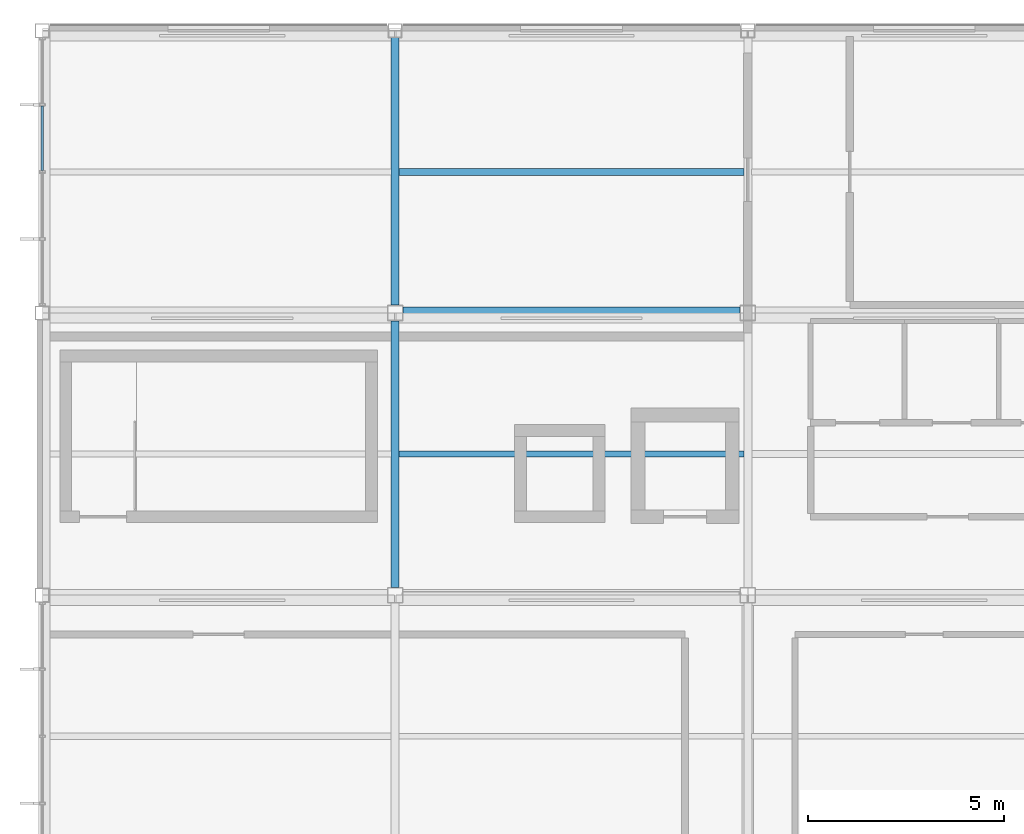
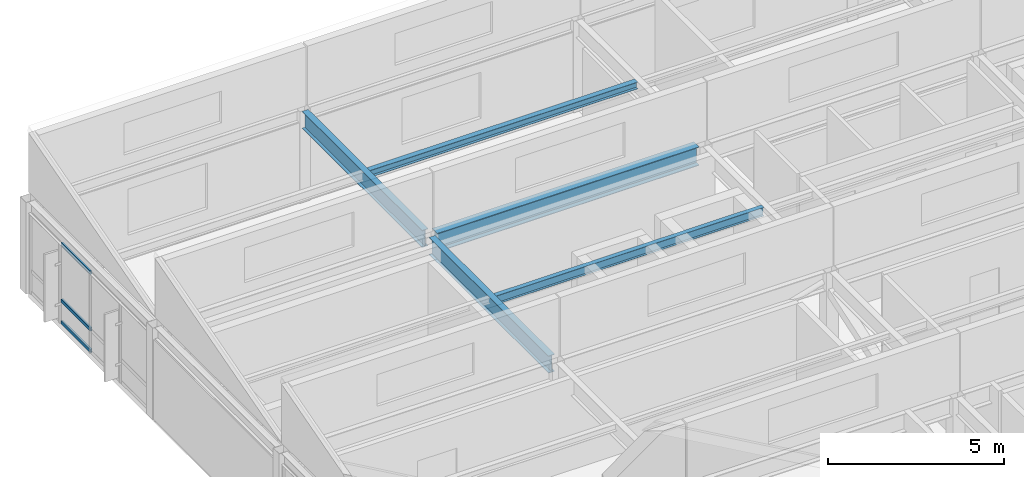
# One storey, part 16 of 43: 5 beams, 3 members, 1 element without a shape of its own.
"""IFC4 building model written with IfcOpenShell, lengths in metres."""

import ifcopenshell
import ifcopenshell.guid

model = None  # the IFC model being written
_history = None  # IfcOwnerHistory: only IFC2X3 demands one
_inside = {}  # id of a spatial element -> (the spatial element, [elements in it])
_under = {}  # id of a project, library or spatial element -> (it, [spatial elements below it])
_declared = {}  # id of a project -> (the project, [libraries it declares])
_typed = {}  # id of a type object -> (the type object, [elements of that type])
_made_of = {}  # id of a material, layer set ... -> (it, [elements and type objects made of it])


def new_model(schema):
    """Start an empty IFC model of exactly this schema.

    Asked for "IFC4X3", IfcOpenShell would pick the latest addendum, in which some entities
    have other attributes; the version numbers below select the first issue.
    IFC2X3 requires an IfcOwnerHistory on every rooted entity: one is made here for all.
    """
    global model, _history
    if schema == "IFC4X3":
        model = ifcopenshell.file(schema_version=(4, 3, 0, 0))
    else:
        model = ifcopenshell.file(schema=schema)
    _inside.clear()
    _under.clear()
    _declared.clear()
    _typed.clear()
    _made_of.clear()
    _history = None
    if model.schema == "IFC2X3":
        org = make("IfcOrganization", Name="unknown")
        user = make(
            "IfcPersonAndOrganization",
            ThePerson=make("IfcPerson", FamilyName="unknown"),
            TheOrganization=org,
        )
        app = make(
            "IfcApplication",
            ApplicationDeveloper=org,
            Version="unknown",
            ApplicationFullName="unknown",
            ApplicationIdentifier="unknown",
        )
        _history = make(
            "IfcOwnerHistory",
            OwningUser=user,
            OwningApplication=app,
            ChangeAction="ADDED",
            CreationDate=0,
        )
    return model


def make(cls, **values):
    """One entity of the class cls with the attributes given. An attribute that is None is left unset."""
    return model.create_entity(
        cls, **{name: value for name, value in values.items() if value is not None}
    )


def rooted(cls, **values):
    """An entity with a GlobalId (a new one), such as an element, a storey or a relation."""
    return make(cls, GlobalId=ifcopenshell.guid.new(), OwnerHistory=_history, **values)


def si_unit(unit_type, name, prefix=None):
    """IfcSIUnit, for example si_unit("LENGTHUNIT", "METRE", prefix="MILLI")."""
    return make("IfcSIUnit", UnitType=unit_type, Prefix=prefix, Name=name)


def assignment(units):
    """IfcUnitAssignment: the units of a project."""
    return None if units is None else make("IfcUnitAssignment", Units=units)


def point(xyz):
    """IfcCartesianPoint."""
    return None if xyz is None else make("IfcCartesianPoint", Coordinates=xyz)


def direction(xyz):
    """IfcDirection."""
    return None if xyz is None else make("IfcDirection", DirectionRatios=xyz)


def frame(location, z_axis=None, x_axis=None):
    """IfcAxis2Placement3D, a coordinate frame: its origin and axes. An axis left out is left unset."""
    return make(
        "IfcAxis2Placement3D",
        Location=point(location),
        Axis=direction(z_axis),
        RefDirection=direction(x_axis),
    )


def frame_2d(location, x_axis=None):
    """IfcAxis2Placement2D, a coordinate frame in the plane: its origin and x axis."""
    return make(
        "IfcAxis2Placement2D", Location=point(location), RefDirection=direction(x_axis)
    )


def origin():
    """The frame at (0, 0, 0) with its axes left unset."""
    return frame((0.0, 0.0, 0.0))


def origin_2d():
    """The frame at (0, 0) in the plane with its x axis left unset."""
    return frame_2d((0.0, 0.0))


def place(relative_to, where):
    """IfcLocalPlacement: puts the frame where relative to a parent placement (None: the world)."""
    return make(
        "IfcLocalPlacement", PlacementRelTo=relative_to, RelativePlacement=where
    )


def context(
    kind, dimensions, precision=None, world=None, true_north=None, identifier=None
):
    """IfcGeometricRepresentationContext, for example the 3D "Model" context."""
    return make(
        "IfcGeometricRepresentationContext",
        ContextIdentifier=identifier,
        ContextType=kind,
        CoordinateSpaceDimension=dimensions,
        Precision=precision,
        WorldCoordinateSystem=world,
        TrueNorth=true_north,
    )


def subcontext(parent, identifier, kind, view, scale=None):
    """IfcGeometricRepresentationSubContext, for example "Body" below "Model"."""
    return make(
        "IfcGeometricRepresentationSubContext",
        ContextIdentifier=identifier,
        ContextType=kind,
        ParentContext=parent,
        TargetScale=scale,
        TargetView=view,
    )


def project(units=None, contexts=None):
    """IfcProject with its units and contexts."""
    return rooted(
        "IfcProject",
        Name="project",
        RepresentationContexts=contexts,
        UnitsInContext=assignment(units),
    )


def spatial(cls, under=None, at=None, **own):
    """A site, building, storey or space (cls), placed at a placement, below another one or the project."""
    s = rooted(cls, ObjectPlacement=at, **own)
    if under is not None:
        _under.setdefault(under.id(), (under, []))[1].append(s)
    return s


def profile(cls, at=None, kind="AREA", **sizes):
    """A parametric profile (cls). Its sizes go by their IFC names, for example OverallWidth=200.0."""
    return make(cls, ProfileType=kind, Position=at, **sizes)


def hollow_rectangle(**sizes):
    """IfcRectangleHollowProfileDef."""
    return profile("IfcRectangleHollowProfileDef", **sizes)


def i_section(**sizes):
    """IfcIShapeProfileDef."""
    return profile("IfcIShapeProfileDef", **sizes)


def extrude(swept, where, along, depth):
    """IfcExtrudedAreaSolid: the profile swept, set in the frame where, extruded along a direction by depth."""
    return make(
        "IfcExtrudedAreaSolid",
        SweptArea=swept,
        Position=where,
        ExtrudedDirection=direction(along),
        Depth=depth,
    )


def shape(context_of_items, identifier, shape_type, items):
    """IfcShapeRepresentation: the items that make up one representation, for example the "Body"."""
    return make(
        "IfcShapeRepresentation",
        ContextOfItems=context_of_items,
        RepresentationIdentifier=identifier,
        RepresentationType=shape_type,
        Items=items,
    )


def material(Name=None, Category=None):
    """IfcMaterial."""
    return make("IfcMaterial", Name=Name, Category=Category)


def material_profile(
    of_material, cross_section, Name=None, Category=None, Priority=None
):
    """IfcMaterialProfile: a cross section and its material."""
    return make(
        "IfcMaterialProfile",
        Name=Name,
        Material=of_material,
        Profile=cross_section,
        Priority=Priority,
        Category=Category,
    )


def profile_set(profiles, Name=None, composite=None):
    """IfcMaterialProfileSet."""
    return make(
        "IfcMaterialProfileSet",
        Name=Name,
        MaterialProfiles=profiles,
        CompositeProfile=composite,
    )


def made_of(thing, what):
    """Note that an element or type object is made of a material, layer set ...; save() writes the relation."""
    if what is not None:
        _made_of.setdefault(what.id(), (what, []))[1].append(thing)
    return thing


def type_object(cls, material=None, **own):
    """A type object (cls), such as IfcWallType, which elements share."""
    return made_of(rooted(cls, **own), material)


def element(
    cls,
    number,
    at=None,
    inside=None,
    cuts=None,
    type_object=None,
    material=None,
    context=None,
    identifier="Body",
    shape_type=None,
    held_by="IfcProductDefinitionShape",
    body=None,
    shapes=None,
    **own,
):
    """One element of the class cls, such as IfcWall. Its Tag is "e" and its number.

    at: its placement. inside: the storey or other place that contains it. cuts: it is an
    opening in that element (IfcRelVoidsElement). A single representation is given by context,
    identifier, shape_type and body (its items); several are given by shapes. held_by: the class
    of the entity that holds the representations. save() writes the other relations.
    """
    e = rooted(cls, Tag="e%d" % number, ObjectPlacement=at, **own)
    if body is not None:
        shapes = [shape(context, identifier, shape_type, body)]
    if shapes is not None:
        e.Representation = make(held_by, Representations=shapes)
    if inside is not None:
        _inside.setdefault(inside.id(), (inside, []))[1].append(e)
    if cuts is not None:
        rooted(
            "IfcRelVoidsElement", RelatingBuildingElement=cuts, RelatedOpeningElement=e
        )
    if type_object is not None:
        _typed.setdefault(type_object.id(), (type_object, []))[1].append(e)
    return made_of(e, material)


def aggregate(whole, parts):
    """IfcRelAggregates: a whole, such as a stair, and the parts it consists of."""
    return rooted("IfcRelAggregates", RelatingObject=whole, RelatedObjects=parts)


def save(model, path):
    """Write the relations noted so far, then the file.

    IfcRelAggregates (storeys below a building ...), IfcRelContainedInSpatialStructure (elements
    in a storey), IfcRelDefinesByType, IfcRelAssociatesMaterial and IfcRelDeclares: one each for
    every whole, place, type object, material and project.
    """
    for whole, parts in _under.values():
        aggregate(whole, parts)
    for where, things in _inside.values():
        rooted(
            "IfcRelContainedInSpatialStructure",
            RelatedElements=things,
            RelatingStructure=where,
        )
    for kind, things in _typed.values():
        rooted("IfcRelDefinesByType", RelatedObjects=things, RelatingType=kind)
    for what, things in _made_of.values():
        rooted("IfcRelAssociatesMaterial", RelatedObjects=things, RelatingMaterial=what)
    for by, libraries in _declared.values():
        rooted("IfcRelDeclares", RelatingContext=by, RelatedDefinitions=libraries)
    model.write(path)


model = new_model("IFC4")

# Units and contexts
model_context = context("Model", 3, precision=1e-05, world=origin(), true_north=direction((0.0, 1.0)))
body_context = subcontext(model_context, "Body", "Model", "MODEL_VIEW")
ifc_project = project(units=[si_unit("LENGTHUNIT", "METRE"), si_unit("AREAUNIT", "SQUARE_METRE"), si_unit("VOLUMEUNIT", "CUBIC_METRE"), si_unit("PLANEANGLEUNIT", "RADIAN"), si_unit("MASSUNIT", "GRAM", prefix="KILO")], contexts=[model_context])

# Site, building, storey
site_placement = place(None, origin())
site = spatial("IfcSite", under=ifc_project, at=site_placement, CompositionType="ELEMENT")
building_placement = place(site_placement, origin())
building = spatial("IfcBuilding", under=site, at=building_placement, Name="Kazanami Central Library", CompositionType="ELEMENT")
storey_placement = place(building_placement, frame((0.0, 0.0, 20.60009765625)))
storey = spatial("IfcBuildingStorey", under=building, at=storey_placement, Name="L06", CompositionType="ELEMENT", Elevation=20.60009765625)

# Beams
ifc_material_1 = material(Name="Steel SN400B (235 MPa)", Category="steel")
ifc_material_profile_1 = material_profile(ifc_material_1, i_section(OverallWidth=0.14990234375, OverallDepth=0.300048828125, WebThickness=0.006591796875, FlangeThickness=0.009033203125, at=origin_2d()), Name="H-300x150x6.5x9")
ifc_profile_set_1 = profile_set([ifc_material_profile_1], Name="Steel SN400B (235 MPa)")
beam_type_1 = type_object("IfcBeamType", Name="BM-B-S4", PredefinedType="JOIST", material=ifc_profile_set_1)
beam_1_placement = place(storey_placement, frame((9.097900390625, 82.800048828125, 3.02978515625), z_axis=(1.0, 0.0, 0.0), x_axis=(0.0, 1.0, 0.0)))
element("IfcBeam", 1, at=beam_1_placement, inside=storey, type_object=beam_type_1, Name="Composite Secondary Joist B-S4 L06 Bay 2/M.1", PredefinedType="JOIST", context=body_context, shape_type="SweptSolid", body=[
    extrude(i_section(OverallWidth=0.14990234375, OverallDepth=0.300048828125, WebThickness=0.006591796875, FlangeThickness=0.009033203125, at=origin_2d()), origin(), (0.0, 0.0, 1.0), 8.80419921875),
])
ifc_material_profile_2 = material_profile(ifc_material_1, i_section(OverallWidth=0.175048828125, OverallDepth=0.243896484375, WebThickness=0.007080078125, FlangeThickness=0.010986328125, at=origin_2d()), Name="H-244x175x7x11")
ifc_profile_set_2 = profile_set([ifc_material_profile_2], Name="Steel SN400B (235 MPa)")
beam_type_2 = type_object("IfcBeamType", Name="BM-B-S6", PredefinedType="JOIST", material=ifc_profile_set_2)
beam_2_placement = place(storey_placement, frame((9.097900390625, 90.0, 3.057861328125), z_axis=(1.0, 0.0, 0.0), x_axis=(0.0, 1.0, 0.0)))
element("IfcBeam", 2, at=beam_2_placement, inside=storey, type_object=beam_type_2, Name="Composite Secondary Joist B-S6 L06 Bay 2/N.1", PredefinedType="JOIST", context=body_context, shape_type="SweptSolid", body=[
    extrude(i_section(OverallWidth=0.175048828125, OverallDepth=0.243896484375, WebThickness=0.007080078125, FlangeThickness=0.010986328125, at=origin_2d()), origin(), (0.0, 0.0, 1.0), 8.80419921875),
])
ifc_material_2 = material(Name="Steel SN490B (325 MPa)", Category="steel")
ifc_material_profile_3 = material_profile(ifc_material_2, i_section(OverallWidth=0.300048828125, OverallDepth=0.64990234375, WebThickness=0.012939453125, FlangeThickness=0.02099609375, at=origin_2d()), Name="H-650x300x13x21")
ifc_profile_set_3 = profile_set([ifc_material_profile_3], Name="Steel SN490B (325 MPa)")
beam_type_3 = type_object("IfcBeamType", Name="BM-G-TR", PredefinedType="BEAM", material=ifc_profile_set_3)
beam_3_placement = place(storey_placement, frame((9.197998046875, 86.39990234375, 2.85498046875), z_axis=(1.0, 0.0, 0.0), x_axis=(0.0, 1.0, 0.0)))
element("IfcBeam", 3, at=beam_3_placement, inside=storey, type_object=beam_type_3, Name="Girder G-TR L06 N/2-3", PredefinedType="BEAM", context=body_context, shape_type="SweptSolid", body=[
    extrude(i_section(OverallWidth=0.300048828125, OverallDepth=0.64990234375, WebThickness=0.012939453125, FlangeThickness=0.02099609375, at=origin_2d()), origin(), (0.0, 0.0, 1.0), 8.60400390625),
])
ifc_material_profile_4 = material_profile(ifc_material_2, i_section(OverallWidth=0.199951171875, OverallDepth=0.60009765625, WebThickness=0.010986328125, FlangeThickness=0.01708984375, at=origin_2d()), Name="H-600x200x11x17")
ifc_profile_set_4 = profile_set([ifc_material_profile_4], Name="Steel SN490B (325 MPa)")
beam_type_4 = type_object("IfcBeamType", Name="BM-G-Y1", PredefinedType="BEAM", material=ifc_profile_set_4)
beam_4_placement = place(storey_placement, frame((9.0, 79.39794921875, 2.8798828125), z_axis=(0.0, 1.0, 0.0), x_axis=(-1.0, 0.0, 0.0)))
element("IfcBeam", 4, at=beam_4_placement, inside=storey, type_object=beam_type_4, Name="Girder G-Y1 L06 2/M-N", PredefinedType="BEAM", context=body_context, shape_type="SweptSolid", body=[
    extrude(i_section(OverallWidth=0.199951171875, OverallDepth=0.60009765625, WebThickness=0.010986328125, FlangeThickness=0.01708984375, at=origin_2d()), origin(), (0.0, 0.0, 1.0), 6.803955078125),
])
beam_5_placement = place(storey_placement, frame((9.0, 86.597900390625, 2.8798828125), z_axis=(0.0, 1.0, 0.0), x_axis=(-1.0, 0.0, 0.0)))
element("IfcBeam", 5, at=beam_5_placement, inside=storey, type_object=beam_type_4, Name="Girder G-Y1 L06 2/N-O", PredefinedType="BEAM", context=body_context, shape_type="SweptSolid", body=[
    extrude(i_section(OverallWidth=0.199951171875, OverallDepth=0.60009765625, WebThickness=0.010986328125, FlangeThickness=0.01708984375, at=origin_2d()), origin(), (0.0, 0.0, 1.0), 6.8291015625),
])

# Curtain wall, members
ifc_material_3 = material(Name="Acid-Etched Low-E Laminated Glass", Category="glass")
curtain_wall_type = type_object("IfcCurtainWallType", Name="CW-6850x2780-M180", PredefinedType="USERDEFINED", material=ifc_material_3)
curtain_wall_placement = place(storey_placement, origin())
curtain_wall = element("IfcCurtainWall", 6, at=curtain_wall_placement, inside=storey, type_object=curtain_wall_type, Name="Unitised Curtain Wall CW-58 L06 W-1-12", ObjectType="UNITISED CURTAIN WALL", PredefinedType="USERDEFINED")
ifc_material_4 = material(Name="Anodised Aluminium A6063-T5", Category="aluminium")
ifc_material_profile_5 = material_profile(ifc_material_4, hollow_rectangle(XDim=0.06005859375, YDim=0.1201171875, WallThickness=0.00341796875, at=origin_2d()), Name="ALU-TRAN-60x120x3.5")
ifc_profile_set_5 = profile_set([ifc_material_profile_5], Name="Anodised Aluminium A6063-T5")
member_type = type_object("IfcMemberType", Name="MEM-CW-T3", PredefinedType="USERDEFINED", material=ifc_profile_set_5)
member_1_placement = place(storey_placement, frame((0.0, 90.030029296875, 0.02978515625), z_axis=(0.0, 1.0, 0.0), x_axis=(-1.0, 0.0, 0.0)))
member_1 = element("IfcMember", 7, at=member_1_placement, type_object=member_type, Name="CW-58 transom 3.1", ObjectType="TRANSOM", PredefinedType="USERDEFINED", context=body_context, shape_type="SweptSolid", body=[
    extrude(hollow_rectangle(XDim=0.06005859375, YDim=0.1201171875, WallThickness=0.00341796875, at=origin_2d()), origin(), (0.0, 0.0, 1.0), 1.652587890625),
])
member_2_placement = place(storey_placement, frame((0.0, 90.030029296875, 0.77978515625), z_axis=(0.0, 1.0, 0.0), x_axis=(-1.0, 0.0, 0.0)))
member_2 = element("IfcMember", 8, at=member_2_placement, type_object=member_type, Name="CW-58 transom 3.2", ObjectType="TRANSOM", PredefinedType="USERDEFINED", context=body_context, shape_type="SweptSolid", body=[
    extrude(hollow_rectangle(XDim=0.06005859375, YDim=0.1201171875, WallThickness=0.00341796875, at=origin_2d()), origin(), (0.0, 0.0, 1.0), 1.652587890625),
])
member_3_placement = place(storey_placement, frame((0.0, 90.030029296875, 2.75), z_axis=(0.0, 1.0, 0.0), x_axis=(-1.0, 0.0, 0.0)))
member_3 = element("IfcMember", 9, at=member_3_placement, type_object=member_type, Name="CW-58 transom 3.3", ObjectType="TRANSOM", PredefinedType="USERDEFINED", context=body_context, shape_type="SweptSolid", body=[
    extrude(hollow_rectangle(XDim=0.06005859375, YDim=0.1201171875, WallThickness=0.00341796875, at=origin_2d()), origin(), (0.0, 0.0, 1.0), 1.652587890625),
])
aggregate(curtain_wall, [member_1, member_2, member_3])

save(model, "model.ifc")
